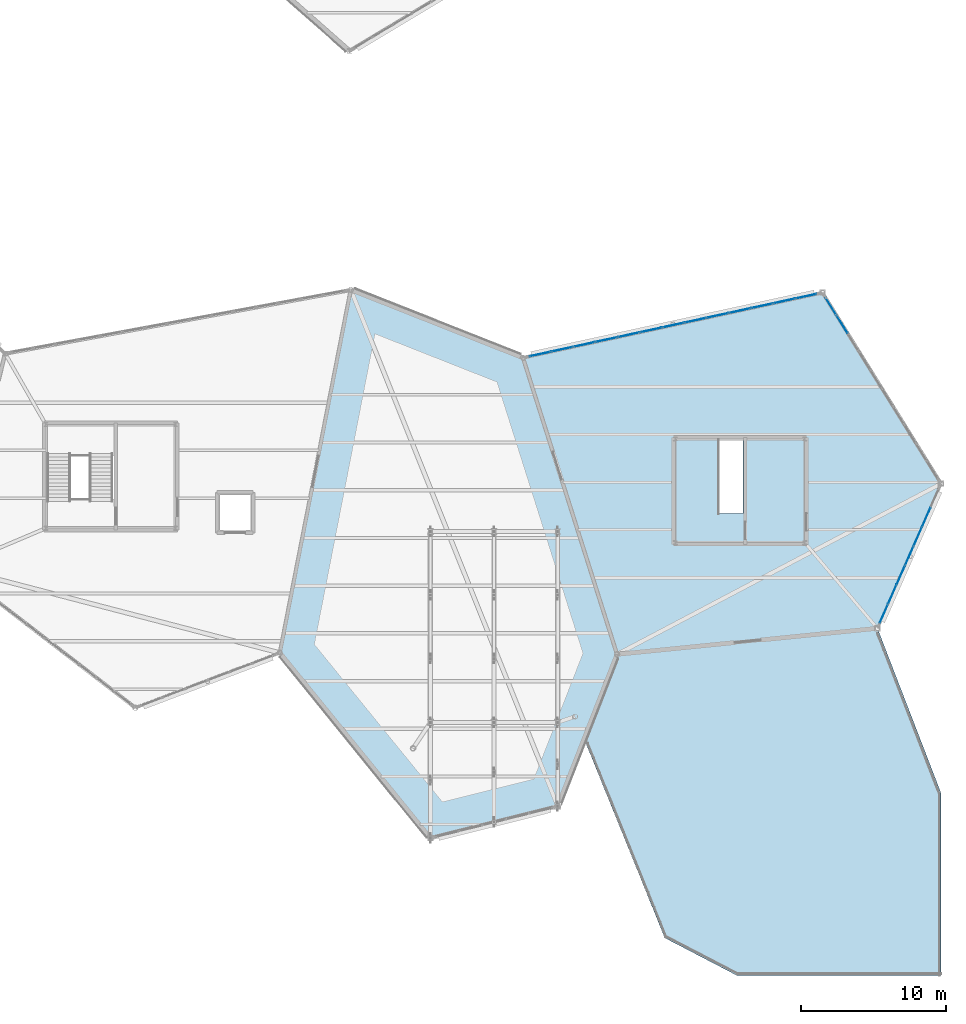
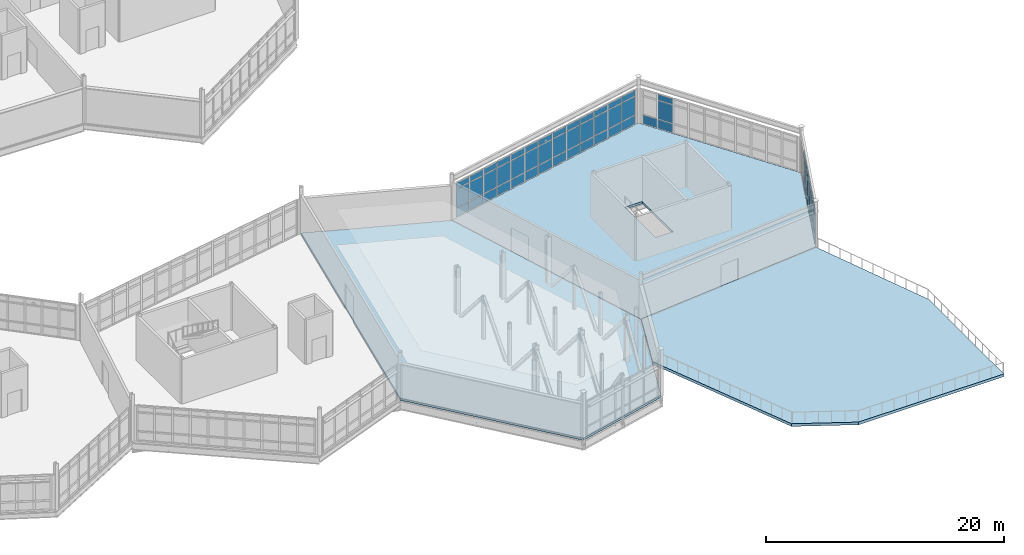
# One storey, part 80 of 114: 61 plates, 3 slabs, 3 elements without a shape of their own.
"""IFC4 building model written with IfcOpenShell, lengths in metres."""

import ifcopenshell
import ifcopenshell.guid

model = None  # the IFC model being written
_history = None  # IfcOwnerHistory: only IFC2X3 demands one
_inside = {}  # id of a spatial element -> (the spatial element, [elements in it])
_under = {}  # id of a project, library or spatial element -> (it, [spatial elements below it])
_declared = {}  # id of a project -> (the project, [libraries it declares])
_typed = {}  # id of a type object -> (the type object, [elements of that type])
_made_of = {}  # id of a material, layer set ... -> (it, [elements and type objects made of it])


def new_model(schema):
    """Start an empty IFC model of exactly this schema.

    Asked for "IFC4X3", IfcOpenShell would pick the latest addendum, in which some entities
    have other attributes; the version numbers below select the first issue.
    IFC2X3 requires an IfcOwnerHistory on every rooted entity: one is made here for all.
    """
    global model, _history
    if schema == "IFC4X3":
        model = ifcopenshell.file(schema_version=(4, 3, 0, 0))
    else:
        model = ifcopenshell.file(schema=schema)
    _inside.clear()
    _under.clear()
    _declared.clear()
    _typed.clear()
    _made_of.clear()
    _history = None
    if model.schema == "IFC2X3":
        org = make("IfcOrganization", Name="unknown")
        user = make(
            "IfcPersonAndOrganization",
            ThePerson=make("IfcPerson", FamilyName="unknown"),
            TheOrganization=org,
        )
        app = make(
            "IfcApplication",
            ApplicationDeveloper=org,
            Version="unknown",
            ApplicationFullName="unknown",
            ApplicationIdentifier="unknown",
        )
        _history = make(
            "IfcOwnerHistory",
            OwningUser=user,
            OwningApplication=app,
            ChangeAction="ADDED",
            CreationDate=0,
        )
    return model


def make(cls, **values):
    """One entity of the class cls with the attributes given. An attribute that is None is left unset."""
    return model.create_entity(
        cls, **{name: value for name, value in values.items() if value is not None}
    )


def rooted(cls, **values):
    """An entity with a GlobalId (a new one), such as an element, a storey or a relation."""
    return make(cls, GlobalId=ifcopenshell.guid.new(), OwnerHistory=_history, **values)


def si_unit(unit_type, name, prefix=None):
    """IfcSIUnit, for example si_unit("LENGTHUNIT", "METRE", prefix="MILLI")."""
    return make("IfcSIUnit", UnitType=unit_type, Prefix=prefix, Name=name)


def assignment(units):
    """IfcUnitAssignment: the units of a project."""
    return None if units is None else make("IfcUnitAssignment", Units=units)


def point(xyz):
    """IfcCartesianPoint."""
    return None if xyz is None else make("IfcCartesianPoint", Coordinates=xyz)


def direction(xyz):
    """IfcDirection."""
    return None if xyz is None else make("IfcDirection", DirectionRatios=xyz)


def frame(location, z_axis=None, x_axis=None):
    """IfcAxis2Placement3D, a coordinate frame: its origin and axes. An axis left out is left unset."""
    return make(
        "IfcAxis2Placement3D",
        Location=point(location),
        Axis=direction(z_axis),
        RefDirection=direction(x_axis),
    )


def frame_2d(location, x_axis=None):
    """IfcAxis2Placement2D, a coordinate frame in the plane: its origin and x axis."""
    return make(
        "IfcAxis2Placement2D", Location=point(location), RefDirection=direction(x_axis)
    )


def origin():
    """The frame at (0, 0, 0) with its axes left unset."""
    return frame((0.0, 0.0, 0.0))


def origin_2d():
    """The frame at (0, 0) in the plane with its x axis left unset."""
    return frame_2d((0.0, 0.0))


def place(relative_to, where):
    """IfcLocalPlacement: puts the frame where relative to a parent placement (None: the world)."""
    return make(
        "IfcLocalPlacement", PlacementRelTo=relative_to, RelativePlacement=where
    )


def context(
    kind, dimensions, precision=None, world=None, true_north=None, identifier=None
):
    """IfcGeometricRepresentationContext, for example the 3D "Model" context."""
    return make(
        "IfcGeometricRepresentationContext",
        ContextIdentifier=identifier,
        ContextType=kind,
        CoordinateSpaceDimension=dimensions,
        Precision=precision,
        WorldCoordinateSystem=world,
        TrueNorth=true_north,
    )


def subcontext(parent, identifier, kind, view, scale=None):
    """IfcGeometricRepresentationSubContext, for example "Body" below "Model"."""
    return make(
        "IfcGeometricRepresentationSubContext",
        ContextIdentifier=identifier,
        ContextType=kind,
        ParentContext=parent,
        TargetScale=scale,
        TargetView=view,
    )


def project(units=None, contexts=None):
    """IfcProject with its units and contexts."""
    return rooted(
        "IfcProject",
        Name="project",
        RepresentationContexts=contexts,
        UnitsInContext=assignment(units),
    )


def spatial(cls, under=None, at=None, **own):
    """A site, building, storey or space (cls), placed at a placement, below another one or the project."""
    s = rooted(cls, ObjectPlacement=at, **own)
    if under is not None:
        _under.setdefault(under.id(), (under, []))[1].append(s)
    return s


def polyline(points):
    """IfcPolyline through the points."""
    return make("IfcPolyline", Points=[point(p) for p in points])


def profile(cls, at=None, kind="AREA", **sizes):
    """A parametric profile (cls). Its sizes go by their IFC names, for example OverallWidth=200.0."""
    return make(cls, ProfileType=kind, Position=at, **sizes)


def rectangle(**sizes):
    """IfcRectangleProfileDef."""
    return profile("IfcRectangleProfileDef", **sizes)


def outline(outer, holes=None, kind="AREA"):
    """IfcArbitraryClosedProfileDef: a profile drawn as a closed curve; with holes, ...WithVoids."""
    if holes is None:
        return make("IfcArbitraryClosedProfileDef", ProfileType=kind, OuterCurve=outer)
    return make(
        "IfcArbitraryProfileDefWithVoids",
        ProfileType=kind,
        OuterCurve=outer,
        InnerCurves=holes,
    )


def extrude(swept, where, along, depth):
    """IfcExtrudedAreaSolid: the profile swept, set in the frame where, extruded along a direction by depth."""
    return make(
        "IfcExtrudedAreaSolid",
        SweptArea=swept,
        Position=where,
        ExtrudedDirection=direction(along),
        Depth=depth,
    )


def shape(context_of_items, identifier, shape_type, items):
    """IfcShapeRepresentation: the items that make up one representation, for example the "Body"."""
    return make(
        "IfcShapeRepresentation",
        ContextOfItems=context_of_items,
        RepresentationIdentifier=identifier,
        RepresentationType=shape_type,
        Items=items,
    )


def material(Name=None, Category=None):
    """IfcMaterial."""
    return make("IfcMaterial", Name=Name, Category=Category)


def layer(
    of_material, thickness, ventilated=None, Name=None, Category=None, Priority=None
):
    """IfcMaterialLayer: one layer of a wall or slab, of a material (None: an air gap)."""
    return make(
        "IfcMaterialLayer",
        Material=of_material,
        LayerThickness=thickness,
        IsVentilated=ventilated,
        Name=Name,
        Category=Category,
        Priority=Priority,
    )


def layer_set(layers, Name=None):
    """IfcMaterialLayerSet."""
    return make("IfcMaterialLayerSet", MaterialLayers=layers, LayerSetName=Name)


def made_of(thing, what):
    """Note that an element or type object is made of a material, layer set ...; save() writes the relation."""
    if what is not None:
        _made_of.setdefault(what.id(), (what, []))[1].append(thing)
    return thing


def type_object(cls, material=None, **own):
    """A type object (cls), such as IfcWallType, which elements share."""
    return made_of(rooted(cls, **own), material)


def element(
    cls,
    number,
    at=None,
    inside=None,
    cuts=None,
    type_object=None,
    material=None,
    context=None,
    identifier="Body",
    shape_type=None,
    held_by="IfcProductDefinitionShape",
    body=None,
    shapes=None,
    **own,
):
    """One element of the class cls, such as IfcWall. Its Tag is "e" and its number.

    at: its placement. inside: the storey or other place that contains it. cuts: it is an
    opening in that element (IfcRelVoidsElement). A single representation is given by context,
    identifier, shape_type and body (its items); several are given by shapes. held_by: the class
    of the entity that holds the representations. save() writes the other relations.
    """
    e = rooted(cls, Tag="e%d" % number, ObjectPlacement=at, **own)
    if body is not None:
        shapes = [shape(context, identifier, shape_type, body)]
    if shapes is not None:
        e.Representation = make(held_by, Representations=shapes)
    if inside is not None:
        _inside.setdefault(inside.id(), (inside, []))[1].append(e)
    if cuts is not None:
        rooted(
            "IfcRelVoidsElement", RelatingBuildingElement=cuts, RelatedOpeningElement=e
        )
    if type_object is not None:
        _typed.setdefault(type_object.id(), (type_object, []))[1].append(e)
    return made_of(e, material)


def aggregate(whole, parts):
    """IfcRelAggregates: a whole, such as a stair, and the parts it consists of."""
    return rooted("IfcRelAggregates", RelatingObject=whole, RelatedObjects=parts)


def save(model, path):
    """Write the relations noted so far, then the file.

    IfcRelAggregates (storeys below a building ...), IfcRelContainedInSpatialStructure (elements
    in a storey), IfcRelDefinesByType, IfcRelAssociatesMaterial and IfcRelDeclares: one each for
    every whole, place, type object, material and project.
    """
    for whole, parts in _under.values():
        aggregate(whole, parts)
    for where, things in _inside.values():
        rooted(
            "IfcRelContainedInSpatialStructure",
            RelatedElements=things,
            RelatingStructure=where,
        )
    for kind, things in _typed.values():
        rooted("IfcRelDefinesByType", RelatedObjects=things, RelatingType=kind)
    for what, things in _made_of.values():
        rooted("IfcRelAssociatesMaterial", RelatedObjects=things, RelatingMaterial=what)
    for by, libraries in _declared.values():
        rooted("IfcRelDeclares", RelatingContext=by, RelatedDefinitions=libraries)
    model.write(path)


model = new_model("IFC4")

# Units and contexts
model_context = context("Model", 3, precision=1e-05, world=origin(), true_north=direction((0.0, 1.0)))
body_context = subcontext(model_context, "Body", "Model", "MODEL_VIEW")
ifc_project = project(units=[si_unit("LENGTHUNIT", "METRE"), si_unit("AREAUNIT", "SQUARE_METRE"), si_unit("VOLUMEUNIT", "CUBIC_METRE"), si_unit("PLANEANGLEUNIT", "RADIAN"), si_unit("MASSUNIT", "GRAM", prefix="KILO")], contexts=[model_context])

# Site, building, storey
site_placement = place(None, origin())
site = spatial("IfcSite", under=ifc_project, at=site_placement, CompositionType="ELEMENT")
building_placement = place(site_placement, origin())
building = spatial("IfcBuilding", under=site, at=building_placement, Name="Tameran Prism Museum", CompositionType="ELEMENT")
storey_placement = place(building_placement, frame((0.0, 0.0, 10.199951171875)))
storey = spatial("IfcBuildingStorey", under=building, at=storey_placement, Name="L02", CompositionType="ELEMENT", Elevation=10.199951171875)

# Curtain wall, plates
ifc_material_1 = material(Name="Anodised Aluminium 6063-T6 and Cyclone Solar Glass", Category="aluminium")
curtain_wall_type_1 = type_object("IfcCurtainWallType", Name="CW-FAC-1022x362", PredefinedType="USERDEFINED", material=ifc_material_1)
curtain_wall_1_placement = place(storey_placement, origin())
curtain_wall_1 = element("IfcCurtainWall", 1, at=curtain_wall_1_placement, inside=storey, type_object=curtain_wall_type_1, Name="Unitised Curtain Wall CW-127", ObjectType="UNITISED CURTAIN WALL", PredefinedType="USERDEFINED")
ifc_material_2 = material(Name="Low-E Laminated Solar Glass", Category="glass")
ifc_layer_1 = layer(ifc_material_2, 0.028076171875)
ifc_layer_set_1 = layer_set([ifc_layer_1])
plate_type_1 = type_object("IfcPlateType", Name="CW-PNL-G28", PredefinedType="CURTAIN_PANEL", material=ifc_layer_set_1)
plate_1_placement = place(storey_placement, frame((165.37646484375, 31.67431640625, 0.06494140625), z_axis=(0.0, 0.0, 1.0), x_axis=(-0.402705842024, -0.915329451509, 0.0)))
plate_1 = element("IfcPlate", 2, at=plate_1_placement, type_object=plate_type_1, Name="CW-127 panel 2.1", PredefinedType="CURTAIN_PANEL", context=body_context, shape_type="SweptSolid", body=[
    extrude(rectangle(XDim=1.395751953125, YDim=0.028076171875, at=origin_2d()), origin(), (0.0, 0.0, 1.0), 0.902587890625),
])
plate_2_placement = place(storey_placement, frame((165.37646484375, 31.67431640625, 1.032470703125), z_axis=(0.0, 0.0, 1.0), x_axis=(-0.402705842024, -0.915329451509, 0.0)))
plate_2 = element("IfcPlate", 3, at=plate_2_placement, type_object=plate_type_1, Name="CW-127 panel 2.2", PredefinedType="CURTAIN_PANEL", context=body_context, shape_type="SweptSolid", body=[
    extrude(rectangle(XDim=1.395751953125, YDim=0.028076171875, at=origin_2d()), origin(), (0.0, 0.0, 1.0), 1.875),
])
plate_3_placement = place(storey_placement, frame((165.37646484375, 31.67431640625, 2.97265625), z_axis=(0.0, 0.0, 1.0), x_axis=(-0.402705842024, -0.915329451509, 0.0)))
plate_3 = element("IfcPlate", 4, at=plate_3_placement, type_object=plate_type_1, Name="CW-127 panel 2.3", PredefinedType="CURTAIN_PANEL", context=body_context, shape_type="SweptSolid", body=[
    extrude(rectangle(XDim=1.395751953125, YDim=0.028076171875, at=origin_2d()), origin(), (0.0, 0.0, 1.0), 0.58251953125),
])
plate_4_placement = place(storey_placement, frame((164.788330078125, 30.337158203125, 0.06494140625), z_axis=(0.0, 0.0, 1.0), x_axis=(-0.402705842024, -0.915329451509, 0.0)))
plate_4 = element("IfcPlate", 5, at=plate_4_placement, type_object=plate_type_1, Name="CW-127 panel 3.1", PredefinedType="CURTAIN_PANEL", context=body_context, shape_type="SweptSolid", body=[
    extrude(rectangle(XDim=1.395751953125, YDim=0.028076171875, at=origin_2d()), origin(), (0.0, 0.0, 1.0), 0.902587890625),
])
plate_5_placement = place(storey_placement, frame((164.788330078125, 30.337158203125, 1.032470703125), z_axis=(0.0, 0.0, 1.0), x_axis=(-0.402705842024, -0.915329451509, 0.0)))
plate_5 = element("IfcPlate", 6, at=plate_5_placement, type_object=plate_type_1, Name="CW-127 panel 3.2", PredefinedType="CURTAIN_PANEL", context=body_context, shape_type="SweptSolid", body=[
    extrude(rectangle(XDim=1.395751953125, YDim=0.028076171875, at=origin_2d()), origin(), (0.0, 0.0, 1.0), 1.875),
])
plate_6_placement = place(storey_placement, frame((164.788330078125, 30.337158203125, 2.97265625), z_axis=(0.0, 0.0, 1.0), x_axis=(-0.402705842024, -0.915329451509, 0.0)))
plate_6 = element("IfcPlate", 7, at=plate_6_placement, type_object=plate_type_1, Name="CW-127 panel 3.3", PredefinedType="CURTAIN_PANEL", context=body_context, shape_type="SweptSolid", body=[
    extrude(rectangle(XDim=1.395751953125, YDim=0.028076171875, at=origin_2d()), origin(), (0.0, 0.0, 1.0), 0.58251953125),
])
plate_7_placement = place(storey_placement, frame((164.199951171875, 29.0, 0.06494140625), z_axis=(0.0, 0.0, 1.0), x_axis=(-0.402705842024, -0.915329451509, 0.0)))
plate_7 = element("IfcPlate", 8, at=plate_7_placement, type_object=plate_type_1, Name="CW-127 panel 4.1", PredefinedType="CURTAIN_PANEL", context=body_context, shape_type="SweptSolid", body=[
    extrude(rectangle(XDim=1.395751953125, YDim=0.028076171875, at=origin_2d()), origin(), (0.0, 0.0, 1.0), 0.902587890625),
])
plate_8_placement = place(storey_placement, frame((164.199951171875, 29.0, 1.032470703125), z_axis=(0.0, 0.0, 1.0), x_axis=(-0.402705842024, -0.915329451509, 0.0)))
plate_8 = element("IfcPlate", 9, at=plate_8_placement, type_object=plate_type_1, Name="CW-127 panel 4.2", PredefinedType="CURTAIN_PANEL", context=body_context, shape_type="SweptSolid", body=[
    extrude(rectangle(XDim=1.395751953125, YDim=0.028076171875, at=origin_2d()), origin(), (0.0, 0.0, 1.0), 1.875),
])
plate_9_placement = place(storey_placement, frame((164.199951171875, 29.0, 2.97265625), z_axis=(0.0, 0.0, 1.0), x_axis=(-0.402705842024, -0.915329451509, 0.0)))
plate_9 = element("IfcPlate", 10, at=plate_9_placement, type_object=plate_type_1, Name="CW-127 panel 4.3", PredefinedType="CURTAIN_PANEL", context=body_context, shape_type="SweptSolid", body=[
    extrude(rectangle(XDim=1.395751953125, YDim=0.028076171875, at=origin_2d()), origin(), (0.0, 0.0, 1.0), 0.58251953125),
])
plate_10_placement = place(storey_placement, frame((163.61181640625, 27.662841796875, 0.06494140625), z_axis=(0.0, 0.0, 1.0), x_axis=(-0.402705842024, -0.915329451509, 0.0)))
plate_10 = element("IfcPlate", 11, at=plate_10_placement, type_object=plate_type_1, Name="CW-127 panel 5.1", PredefinedType="CURTAIN_PANEL", context=body_context, shape_type="SweptSolid", body=[
    extrude(rectangle(XDim=1.395751953125, YDim=0.028076171875, at=origin_2d()), origin(), (0.0, 0.0, 1.0), 0.902587890625),
])
plate_11_placement = place(storey_placement, frame((163.61181640625, 27.662841796875, 1.032470703125), z_axis=(0.0, 0.0, 1.0), x_axis=(-0.402705842024, -0.915329451509, 0.0)))
plate_11 = element("IfcPlate", 12, at=plate_11_placement, type_object=plate_type_1, Name="CW-127 panel 5.2", PredefinedType="CURTAIN_PANEL", context=body_context, shape_type="SweptSolid", body=[
    extrude(rectangle(XDim=1.395751953125, YDim=0.028076171875, at=origin_2d()), origin(), (0.0, 0.0, 1.0), 1.875),
])
plate_12_placement = place(storey_placement, frame((163.61181640625, 27.662841796875, 2.97265625), z_axis=(0.0, 0.0, 1.0), x_axis=(-0.402705842024, -0.915329451509, 0.0)))
plate_12 = element("IfcPlate", 13, at=plate_12_placement, type_object=plate_type_1, Name="CW-127 panel 5.3", PredefinedType="CURTAIN_PANEL", context=body_context, shape_type="SweptSolid", body=[
    extrude(rectangle(XDim=1.395751953125, YDim=0.028076171875, at=origin_2d()), origin(), (0.0, 0.0, 1.0), 0.58251953125),
])
plate_13_placement = place(storey_placement, frame((163.0234375, 26.32568359375, 0.06494140625), z_axis=(0.0, 0.0, 1.0), x_axis=(-0.402705842024, -0.915329451509, 0.0)))
plate_13 = element("IfcPlate", 14, at=plate_13_placement, type_object=plate_type_1, Name="CW-127 panel 6.1", PredefinedType="CURTAIN_PANEL", context=body_context, shape_type="SweptSolid", body=[
    extrude(rectangle(XDim=1.395751953125, YDim=0.028076171875, at=origin_2d()), origin(), (0.0, 0.0, 1.0), 0.902587890625),
])
plate_14_placement = place(storey_placement, frame((163.0234375, 26.32568359375, 1.032470703125), z_axis=(0.0, 0.0, 1.0), x_axis=(-0.402705842024, -0.915329451509, 0.0)))
plate_14 = element("IfcPlate", 15, at=plate_14_placement, type_object=plate_type_1, Name="CW-127 panel 6.2", PredefinedType="CURTAIN_PANEL", context=body_context, shape_type="SweptSolid", body=[
    extrude(rectangle(XDim=1.395751953125, YDim=0.028076171875, at=origin_2d()), origin(), (0.0, 0.0, 1.0), 1.875),
])
plate_15_placement = place(storey_placement, frame((163.0234375, 26.32568359375, 2.97265625), z_axis=(0.0, 0.0, 1.0), x_axis=(-0.402705842024, -0.915329451509, 0.0)))
plate_15 = element("IfcPlate", 16, at=plate_15_placement, type_object=plate_type_1, Name="CW-127 panel 6.3", PredefinedType="CURTAIN_PANEL", context=body_context, shape_type="SweptSolid", body=[
    extrude(rectangle(XDim=1.395751953125, YDim=0.028076171875, at=origin_2d()), origin(), (0.0, 0.0, 1.0), 0.58251953125),
])
plate_16_placement = place(storey_placement, frame((162.441650390625, 25.00341796875, 0.06494140625), z_axis=(0.0, 0.0, 1.0), x_axis=(-0.402705842024, -0.915329451509, 0.0)))
plate_16 = element("IfcPlate", 17, at=plate_16_placement, type_object=plate_type_1, Name="CW-127 panel 7.1", PredefinedType="CURTAIN_PANEL", context=body_context, shape_type="SweptSolid", body=[
    extrude(rectangle(XDim=1.36328125, YDim=0.028076171875, at=origin_2d()), origin(), (0.0, 0.0, 1.0), 0.902587890625),
])
plate_17_placement = place(storey_placement, frame((162.441650390625, 25.00341796875, 1.032470703125), z_axis=(0.0, 0.0, 1.0), x_axis=(-0.402705842024, -0.915329451509, 0.0)))
plate_17 = element("IfcPlate", 18, at=plate_17_placement, type_object=plate_type_1, Name="CW-127 panel 7.2", PredefinedType="CURTAIN_PANEL", context=body_context, shape_type="SweptSolid", body=[
    extrude(rectangle(XDim=1.36328125, YDim=0.028076171875, at=origin_2d()), origin(), (0.0, 0.0, 1.0), 1.875),
])
plate_18_placement = place(storey_placement, frame((162.441650390625, 25.00341796875, 2.97265625), z_axis=(0.0, 0.0, 1.0), x_axis=(-0.402705842024, -0.915329451509, 0.0)))
plate_18 = element("IfcPlate", 19, at=plate_18_placement, type_object=plate_type_1, Name="CW-127 panel 7.3", PredefinedType="CURTAIN_PANEL", context=body_context, shape_type="SweptSolid", body=[
    extrude(rectangle(XDim=1.36328125, YDim=0.028076171875, at=origin_2d()), origin(), (0.0, 0.0, 1.0), 0.58251953125),
])
aggregate(curtain_wall_1, [plate_1, plate_2, plate_3, plate_4, plate_5, plate_6, plate_7, plate_8, plate_9, plate_10, plate_11, plate_12, plate_13, plate_14, plate_15, plate_16, plate_17, plate_18])

ifc_material_3 = material(Name="Anodised Aluminium 6063-T6 and Cyclone Solar Glass", Category="aluminium")
curtain_wall_type_2 = type_object("IfcCurtainWallType", Name="CW-FAC-1484x362", PredefinedType="USERDEFINED", material=ifc_material_3)
curtain_wall_2_placement = place(storey_placement, origin())
curtain_wall_2 = element("IfcCurtainWall", 20, at=curtain_wall_2_placement, inside=storey, type_object=curtain_wall_type_2, Name="Unitised Curtain Wall CW-128", ObjectType="UNITISED CURTAIN WALL", PredefinedType="USERDEFINED")
ifc_material_4 = material(Name="Cyclone Laminated Solar Glass", Category="glass")
ifc_layer_2 = layer(ifc_material_4, 0.031982421875)
ifc_layer_set_2 = layer_set([ifc_layer_2])
plate_type_2 = type_object("IfcPlateType", Name="CW-PNL-G32", PredefinedType="CURTAIN_PANEL", material=ifc_layer_set_2)
plate_19_placement = place(storey_placement, frame((158.78564453125, 46.2578125, 0.070068359375), z_axis=(0.0, 0.0, 1.0), x_axis=(0.527634577931, -0.849471454595, 0.0)))
plate_19 = element("IfcPlate", 21, at=plate_19_placement, type_object=plate_type_2, Name="CW-128 panel 1.1", PredefinedType="CURTAIN_PANEL", context=body_context, shape_type="SweptSolid", body=[
    extrude(rectangle(XDim=1.37890625, YDim=0.031982421875, at=origin_2d()), origin(), (0.0, 0.0, 1.0), 0.89501953125),
])
plate_20_placement = place(storey_placement, frame((159.5595703125, 45.01220703125, 0.070068359375), z_axis=(0.0, 0.0, 1.0), x_axis=(0.527634577931, -0.849471454595, 0.0)))
plate_20 = element("IfcPlate", 22, at=plate_20_placement, type_object=plate_type_2, Name="CW-128 panel 2.1", PredefinedType="CURTAIN_PANEL", context=body_context, shape_type="SweptSolid", body=[
    extrude(rectangle(XDim=1.4140625, YDim=0.031982421875, at=origin_2d()), origin(), (0.0, 0.0, 1.0), 0.89501953125),
])
plate_21_placement = place(storey_placement, frame((159.5595703125, 45.01220703125, 1.034912109375), z_axis=(0.0, 0.0, 1.0), x_axis=(0.527634577931, -0.849471454595, 0.0)))
plate_21 = element("IfcPlate", 23, at=plate_21_placement, type_object=plate_type_2, Name="CW-128 panel 2.2", PredefinedType="CURTAIN_PANEL", context=body_context, shape_type="SweptSolid", body=[
    extrude(rectangle(XDim=1.4140625, YDim=0.031982421875, at=origin_2d()), origin(), (0.0, 0.0, 1.0), 1.8701171875),
])
plate_22_placement = place(storey_placement, frame((159.5595703125, 45.01220703125, 2.97509765625), z_axis=(0.0, 0.0, 1.0), x_axis=(0.527634577931, -0.849471454595, 0.0)))
plate_22 = element("IfcPlate", 24, at=plate_22_placement, type_object=plate_type_2, Name="CW-128 panel 2.3", PredefinedType="CURTAIN_PANEL", context=body_context, shape_type="SweptSolid", body=[
    extrude(rectangle(XDim=1.4140625, YDim=0.031982421875, at=origin_2d()), origin(), (0.0, 0.0, 1.0), 0.574951171875),
])
aggregate(curtain_wall_2, [plate_19, plate_20, plate_21, plate_22])

ifc_material_5 = material(Name="Anodised Aluminium 6063-T6 and Cyclone Solar Glass", Category="aluminium")
curtain_wall_type_3 = type_object("IfcCurtainWallType", Name="CW-FAC-2042x362", PredefinedType="USERDEFINED", material=ifc_material_5)
curtain_wall_3_placement = place(storey_placement, origin())
curtain_wall_3 = element("IfcCurtainWall", 25, at=curtain_wall_3_placement, inside=storey, type_object=curtain_wall_type_3, Name="Unitised Curtain Wall CW-129", ObjectType="UNITISED CURTAIN WALL", PredefinedType="USERDEFINED")
plate_23_placement = place(storey_placement, frame((138.68701171875, 42.957763671875, 0.0751953125), z_axis=(0.0, 0.0, 1.0), x_axis=(0.977171060676, 0.212454037801, 0.0)))
plate_23 = element("IfcPlate", 26, at=plate_23_placement, type_object=plate_type_2, Name="CW-129 panel 1.1", PredefinedType="CURTAIN_PANEL", context=body_context, shape_type="SweptSolid", body=[
    extrude(rectangle(XDim=1.45849609375, YDim=0.031982421875, at=origin_2d()), origin(), (0.0, 0.0, 1.0), 0.887451171875),
])
plate_24_placement = place(storey_placement, frame((138.68701171875, 42.957763671875, 1.03759765625), z_axis=(0.0, 0.0, 1.0), x_axis=(0.977171060676, 0.212454037801, 0.0)))
plate_24 = element("IfcPlate", 27, at=plate_24_placement, type_object=plate_type_2, Name="CW-129 panel 1.2", PredefinedType="CURTAIN_PANEL", context=body_context, shape_type="SweptSolid", body=[
    extrude(rectangle(XDim=1.45849609375, YDim=0.031982421875, at=origin_2d()), origin(), (0.0, 0.0, 1.0), 1.864990234375),
])
plate_25_placement = place(storey_placement, frame((138.68701171875, 42.957763671875, 2.9775390625), z_axis=(0.0, 0.0, 1.0), x_axis=(0.977171060676, 0.212454037801, 0.0)))
plate_25 = element("IfcPlate", 28, at=plate_25_placement, type_object=plate_type_2, Name="CW-129 panel 1.3", PredefinedType="CURTAIN_PANEL", context=body_context, shape_type="SweptSolid", body=[
    extrude(rectangle(XDim=1.45849609375, YDim=0.031982421875, at=origin_2d()), origin(), (0.0, 0.0, 1.0), 0.5673828125),
])
plate_26_placement = place(storey_placement, frame((140.20361328125, 43.28759765625, 0.0751953125), z_axis=(0.0, 0.0, 1.0), x_axis=(0.977171060676, 0.212454037801, 0.0)))
plate_26 = element("IfcPlate", 29, at=plate_26_placement, type_object=plate_type_2, Name="CW-129 panel 2.1", PredefinedType="CURTAIN_PANEL", context=body_context, shape_type="SweptSolid", body=[
    extrude(rectangle(XDim=1.49609375, YDim=0.031982421875, at=origin_2d()), origin(), (0.0, 0.0, 1.0), 0.887451171875),
])
plate_27_placement = place(storey_placement, frame((140.20361328125, 43.28759765625, 1.03759765625), z_axis=(0.0, 0.0, 1.0), x_axis=(0.977171060676, 0.212454037801, 0.0)))
plate_27 = element("IfcPlate", 30, at=plate_27_placement, type_object=plate_type_2, Name="CW-129 panel 2.2", PredefinedType="CURTAIN_PANEL", context=body_context, shape_type="SweptSolid", body=[
    extrude(rectangle(XDim=1.49609375, YDim=0.031982421875, at=origin_2d()), origin(), (0.0, 0.0, 1.0), 1.864990234375),
])
plate_28_placement = place(storey_placement, frame((140.20361328125, 43.28759765625, 2.9775390625), z_axis=(0.0, 0.0, 1.0), x_axis=(0.977171060676, 0.212454037801, 0.0)))
plate_28 = element("IfcPlate", 31, at=plate_28_placement, type_object=plate_type_2, Name="CW-129 panel 2.3", PredefinedType="CURTAIN_PANEL", context=body_context, shape_type="SweptSolid", body=[
    extrude(rectangle(XDim=1.49609375, YDim=0.031982421875, at=origin_2d()), origin(), (0.0, 0.0, 1.0), 0.5673828125),
])
plate_29_placement = place(storey_placement, frame((141.73876953125, 43.621337890625, 0.0751953125), z_axis=(0.0, 0.0, 1.0), x_axis=(0.977171060676, 0.212454037801, 0.0)))
plate_29 = element("IfcPlate", 32, at=plate_29_placement, type_object=plate_type_2, Name="CW-129 panel 3.1", PredefinedType="CURTAIN_PANEL", context=body_context, shape_type="SweptSolid", body=[
    extrude(rectangle(XDim=1.49609375, YDim=0.031982421875, at=origin_2d()), origin(), (0.0, 0.0, 1.0), 0.887451171875),
])
plate_30_placement = place(storey_placement, frame((141.73876953125, 43.621337890625, 1.03759765625), z_axis=(0.0, 0.0, 1.0), x_axis=(0.977171060676, 0.212454037801, 0.0)))
plate_30 = element("IfcPlate", 33, at=plate_30_placement, type_object=plate_type_2, Name="CW-129 panel 3.2", PredefinedType="CURTAIN_PANEL", context=body_context, shape_type="SweptSolid", body=[
    extrude(rectangle(XDim=1.49609375, YDim=0.031982421875, at=origin_2d()), origin(), (0.0, 0.0, 1.0), 1.864990234375),
])
plate_31_placement = place(storey_placement, frame((141.73876953125, 43.621337890625, 2.9775390625), z_axis=(0.0, 0.0, 1.0), x_axis=(0.977171060676, 0.212454037801, 0.0)))
plate_31 = element("IfcPlate", 34, at=plate_31_placement, type_object=plate_type_2, Name="CW-129 panel 3.3", PredefinedType="CURTAIN_PANEL", context=body_context, shape_type="SweptSolid", body=[
    extrude(rectangle(XDim=1.49609375, YDim=0.031982421875, at=origin_2d()), origin(), (0.0, 0.0, 1.0), 0.5673828125),
])
plate_32_placement = place(storey_placement, frame((143.27392578125, 43.955078125, 0.0751953125), z_axis=(0.0, 0.0, 1.0), x_axis=(0.977171060676, 0.212454037801, 0.0)))
plate_32 = element("IfcPlate", 35, at=plate_32_placement, type_object=plate_type_2, Name="CW-129 panel 4.1", PredefinedType="CURTAIN_PANEL", context=body_context, shape_type="SweptSolid", body=[
    extrude(rectangle(XDim=1.49609375, YDim=0.031982421875, at=origin_2d()), origin(), (0.0, 0.0, 1.0), 0.887451171875),
])
plate_33_placement = place(storey_placement, frame((143.27392578125, 43.955078125, 1.03759765625), z_axis=(0.0, 0.0, 1.0), x_axis=(0.977171060676, 0.212454037801, 0.0)))
plate_33 = element("IfcPlate", 36, at=plate_33_placement, type_object=plate_type_2, Name="CW-129 panel 4.2", PredefinedType="CURTAIN_PANEL", context=body_context, shape_type="SweptSolid", body=[
    extrude(rectangle(XDim=1.49609375, YDim=0.031982421875, at=origin_2d()), origin(), (0.0, 0.0, 1.0), 1.864990234375),
])
plate_34_placement = place(storey_placement, frame((143.27392578125, 43.955078125, 2.9775390625), z_axis=(0.0, 0.0, 1.0), x_axis=(0.977171060676, 0.212454037801, 0.0)))
plate_34 = element("IfcPlate", 37, at=plate_34_placement, type_object=plate_type_2, Name="CW-129 panel 4.3", PredefinedType="CURTAIN_PANEL", context=body_context, shape_type="SweptSolid", body=[
    extrude(rectangle(XDim=1.49609375, YDim=0.031982421875, at=origin_2d()), origin(), (0.0, 0.0, 1.0), 0.5673828125),
])
plate_35_placement = place(storey_placement, frame((144.80908203125, 44.2890625, 0.0751953125), z_axis=(0.0, 0.0, 1.0), x_axis=(0.977171060676, 0.212454037801, 0.0)))
plate_35 = element("IfcPlate", 38, at=plate_35_placement, type_object=plate_type_2, Name="CW-129 panel 5.1", PredefinedType="CURTAIN_PANEL", context=body_context, shape_type="SweptSolid", body=[
    extrude(rectangle(XDim=1.49609375, YDim=0.031982421875, at=origin_2d()), origin(), (0.0, 0.0, 1.0), 0.887451171875),
])
plate_36_placement = place(storey_placement, frame((144.80908203125, 44.2890625, 1.03759765625), z_axis=(0.0, 0.0, 1.0), x_axis=(0.977171060676, 0.212454037801, 0.0)))
plate_36 = element("IfcPlate", 39, at=plate_36_placement, type_object=plate_type_2, Name="CW-129 panel 5.2", PredefinedType="CURTAIN_PANEL", context=body_context, shape_type="SweptSolid", body=[
    extrude(rectangle(XDim=1.49609375, YDim=0.031982421875, at=origin_2d()), origin(), (0.0, 0.0, 1.0), 1.864990234375),
])
plate_37_placement = place(storey_placement, frame((144.80908203125, 44.2890625, 2.9775390625), z_axis=(0.0, 0.0, 1.0), x_axis=(0.977171060676, 0.212454037801, 0.0)))
plate_37 = element("IfcPlate", 40, at=plate_37_placement, type_object=plate_type_2, Name="CW-129 panel 5.3", PredefinedType="CURTAIN_PANEL", context=body_context, shape_type="SweptSolid", body=[
    extrude(rectangle(XDim=1.49609375, YDim=0.031982421875, at=origin_2d()), origin(), (0.0, 0.0, 1.0), 0.5673828125),
])
plate_38_placement = place(storey_placement, frame((146.34423828125, 44.622802734375, 0.0751953125), z_axis=(0.0, 0.0, 1.0), x_axis=(0.977171060676, 0.212454037801, 0.0)))
plate_38 = element("IfcPlate", 41, at=plate_38_placement, type_object=plate_type_2, Name="CW-129 panel 6.1", PredefinedType="CURTAIN_PANEL", context=body_context, shape_type="SweptSolid", body=[
    extrude(rectangle(XDim=1.49609375, YDim=0.031982421875, at=origin_2d()), origin(), (0.0, 0.0, 1.0), 0.887451171875),
])
plate_39_placement = place(storey_placement, frame((146.34423828125, 44.622802734375, 1.03759765625), z_axis=(0.0, 0.0, 1.0), x_axis=(0.977171060676, 0.212454037801, 0.0)))
plate_39 = element("IfcPlate", 42, at=plate_39_placement, type_object=plate_type_2, Name="CW-129 panel 6.2", PredefinedType="CURTAIN_PANEL", context=body_context, shape_type="SweptSolid", body=[
    extrude(rectangle(XDim=1.49609375, YDim=0.031982421875, at=origin_2d()), origin(), (0.0, 0.0, 1.0), 1.864990234375),
])
plate_40_placement = place(storey_placement, frame((146.34423828125, 44.622802734375, 2.9775390625), z_axis=(0.0, 0.0, 1.0), x_axis=(0.977171060676, 0.212454037801, 0.0)))
plate_40 = element("IfcPlate", 43, at=plate_40_placement, type_object=plate_type_2, Name="CW-129 panel 6.3", PredefinedType="CURTAIN_PANEL", context=body_context, shape_type="SweptSolid", body=[
    extrude(rectangle(XDim=1.49609375, YDim=0.031982421875, at=origin_2d()), origin(), (0.0, 0.0, 1.0), 0.5673828125),
])
plate_41_placement = place(storey_placement, frame((147.87939453125, 44.95654296875, 0.0751953125), z_axis=(0.0, 0.0, 1.0), x_axis=(0.977171060676, 0.212454037801, 0.0)))
plate_41 = element("IfcPlate", 44, at=plate_41_placement, type_object=plate_type_2, Name="CW-129 panel 7.1", PredefinedType="CURTAIN_PANEL", context=body_context, shape_type="SweptSolid", body=[
    extrude(rectangle(XDim=1.49609375, YDim=0.031982421875, at=origin_2d()), origin(), (0.0, 0.0, 1.0), 0.887451171875),
])
plate_42_placement = place(storey_placement, frame((147.87939453125, 44.95654296875, 1.03759765625), z_axis=(0.0, 0.0, 1.0), x_axis=(0.977171060676, 0.212454037801, 0.0)))
plate_42 = element("IfcPlate", 45, at=plate_42_placement, type_object=plate_type_2, Name="CW-129 panel 7.2", PredefinedType="CURTAIN_PANEL", context=body_context, shape_type="SweptSolid", body=[
    extrude(rectangle(XDim=1.49609375, YDim=0.031982421875, at=origin_2d()), origin(), (0.0, 0.0, 1.0), 1.864990234375),
])
plate_43_placement = place(storey_placement, frame((147.87939453125, 44.95654296875, 2.9775390625), z_axis=(0.0, 0.0, 1.0), x_axis=(0.977171060676, 0.212454037801, 0.0)))
plate_43 = element("IfcPlate", 46, at=plate_43_placement, type_object=plate_type_2, Name="CW-129 panel 7.3", PredefinedType="CURTAIN_PANEL", context=body_context, shape_type="SweptSolid", body=[
    extrude(rectangle(XDim=1.49609375, YDim=0.031982421875, at=origin_2d()), origin(), (0.0, 0.0, 1.0), 0.5673828125),
])
plate_44_placement = place(storey_placement, frame((149.41455078125, 45.290283203125, 0.0751953125), z_axis=(0.0, 0.0, 1.0), x_axis=(0.977171060676, 0.212454037801, 0.0)))
plate_44 = element("IfcPlate", 47, at=plate_44_placement, type_object=plate_type_2, Name="CW-129 panel 8.1", PredefinedType="CURTAIN_PANEL", context=body_context, shape_type="SweptSolid", body=[
    extrude(rectangle(XDim=1.49609375, YDim=0.031982421875, at=origin_2d()), origin(), (0.0, 0.0, 1.0), 0.887451171875),
])
plate_45_placement = place(storey_placement, frame((149.41455078125, 45.290283203125, 1.03759765625), z_axis=(0.0, 0.0, 1.0), x_axis=(0.977171060676, 0.212454037801, 0.0)))
plate_45 = element("IfcPlate", 48, at=plate_45_placement, type_object=plate_type_2, Name="CW-129 panel 8.2", PredefinedType="CURTAIN_PANEL", context=body_context, shape_type="SweptSolid", body=[
    extrude(rectangle(XDim=1.49609375, YDim=0.031982421875, at=origin_2d()), origin(), (0.0, 0.0, 1.0), 1.864990234375),
])
plate_46_placement = place(storey_placement, frame((149.41455078125, 45.290283203125, 2.9775390625), z_axis=(0.0, 0.0, 1.0), x_axis=(0.977171060676, 0.212454037801, 0.0)))
plate_46 = element("IfcPlate", 49, at=plate_46_placement, type_object=plate_type_2, Name="CW-129 panel 8.3", PredefinedType="CURTAIN_PANEL", context=body_context, shape_type="SweptSolid", body=[
    extrude(rectangle(XDim=1.49609375, YDim=0.031982421875, at=origin_2d()), origin(), (0.0, 0.0, 1.0), 0.5673828125),
])
plate_47_placement = place(storey_placement, frame((150.94970703125, 45.6240234375, 0.0751953125), z_axis=(0.0, 0.0, 1.0), x_axis=(0.977171060676, 0.212454037801, 0.0)))
plate_47 = element("IfcPlate", 50, at=plate_47_placement, type_object=plate_type_2, Name="CW-129 panel 9.1", PredefinedType="CURTAIN_PANEL", context=body_context, shape_type="SweptSolid", body=[
    extrude(rectangle(XDim=1.49609375, YDim=0.031982421875, at=origin_2d()), origin(), (0.0, 0.0, 1.0), 0.887451171875),
])
plate_48_placement = place(storey_placement, frame((150.94970703125, 45.6240234375, 1.03759765625), z_axis=(0.0, 0.0, 1.0), x_axis=(0.977171060676, 0.212454037801, 0.0)))
plate_48 = element("IfcPlate", 51, at=plate_48_placement, type_object=plate_type_2, Name="CW-129 panel 9.2", PredefinedType="CURTAIN_PANEL", context=body_context, shape_type="SweptSolid", body=[
    extrude(rectangle(XDim=1.49609375, YDim=0.031982421875, at=origin_2d()), origin(), (0.0, 0.0, 1.0), 1.864990234375),
])
plate_49_placement = place(storey_placement, frame((150.94970703125, 45.6240234375, 2.9775390625), z_axis=(0.0, 0.0, 1.0), x_axis=(0.977171060676, 0.212454037801, 0.0)))
plate_49 = element("IfcPlate", 52, at=plate_49_placement, type_object=plate_type_2, Name="CW-129 panel 9.3", PredefinedType="CURTAIN_PANEL", context=body_context, shape_type="SweptSolid", body=[
    extrude(rectangle(XDim=1.49609375, YDim=0.031982421875, at=origin_2d()), origin(), (0.0, 0.0, 1.0), 0.5673828125),
])
plate_50_placement = place(storey_placement, frame((152.48486328125, 45.957763671875, 0.0751953125), z_axis=(0.0, 0.0, 1.0), x_axis=(0.977171060676, 0.212454037801, 0.0)))
plate_50 = element("IfcPlate", 53, at=plate_50_placement, type_object=plate_type_2, Name="CW-129 panel 10.1", PredefinedType="CURTAIN_PANEL", context=body_context, shape_type="SweptSolid", body=[
    extrude(rectangle(XDim=1.49609375, YDim=0.031982421875, at=origin_2d()), origin(), (0.0, 0.0, 1.0), 0.887451171875),
])
plate_51_placement = place(storey_placement, frame((152.48486328125, 45.957763671875, 1.03759765625), z_axis=(0.0, 0.0, 1.0), x_axis=(0.977171060676, 0.212454037801, 0.0)))
plate_51 = element("IfcPlate", 54, at=plate_51_placement, type_object=plate_type_2, Name="CW-129 panel 10.2", PredefinedType="CURTAIN_PANEL", context=body_context, shape_type="SweptSolid", body=[
    extrude(rectangle(XDim=1.49609375, YDim=0.031982421875, at=origin_2d()), origin(), (0.0, 0.0, 1.0), 1.864990234375),
])
plate_52_placement = place(storey_placement, frame((152.48486328125, 45.957763671875, 2.9775390625), z_axis=(0.0, 0.0, 1.0), x_axis=(0.977171060676, 0.212454037801, 0.0)))
plate_52 = element("IfcPlate", 55, at=plate_52_placement, type_object=plate_type_2, Name="CW-129 panel 10.3", PredefinedType="CURTAIN_PANEL", context=body_context, shape_type="SweptSolid", body=[
    extrude(rectangle(XDim=1.49609375, YDim=0.031982421875, at=origin_2d()), origin(), (0.0, 0.0, 1.0), 0.5673828125),
])
plate_53_placement = place(storey_placement, frame((154.02001953125, 46.29150390625, 0.0751953125), z_axis=(0.0, 0.0, 1.0), x_axis=(0.977171060676, 0.212454037801, 0.0)))
plate_53 = element("IfcPlate", 56, at=plate_53_placement, type_object=plate_type_2, Name="CW-129 panel 11.1", PredefinedType="CURTAIN_PANEL", context=body_context, shape_type="SweptSolid", body=[
    extrude(rectangle(XDim=1.49609375, YDim=0.031982421875, at=origin_2d()), origin(), (0.0, 0.0, 1.0), 0.887451171875),
])
plate_54_placement = place(storey_placement, frame((154.02001953125, 46.29150390625, 1.03759765625), z_axis=(0.0, 0.0, 1.0), x_axis=(0.977171060676, 0.212454037801, 0.0)))
plate_54 = element("IfcPlate", 57, at=plate_54_placement, type_object=plate_type_2, Name="CW-129 panel 11.2", PredefinedType="CURTAIN_PANEL", context=body_context, shape_type="SweptSolid", body=[
    extrude(rectangle(XDim=1.49609375, YDim=0.031982421875, at=origin_2d()), origin(), (0.0, 0.0, 1.0), 1.864990234375),
])
plate_55_placement = place(storey_placement, frame((154.02001953125, 46.29150390625, 2.9775390625), z_axis=(0.0, 0.0, 1.0), x_axis=(0.977171060676, 0.212454037801, 0.0)))
plate_55 = element("IfcPlate", 58, at=plate_55_placement, type_object=plate_type_2, Name="CW-129 panel 11.3", PredefinedType="CURTAIN_PANEL", context=body_context, shape_type="SweptSolid", body=[
    extrude(rectangle(XDim=1.49609375, YDim=0.031982421875, at=origin_2d()), origin(), (0.0, 0.0, 1.0), 0.5673828125),
])
plate_56_placement = place(storey_placement, frame((155.55517578125, 46.625244140625, 0.0751953125), z_axis=(0.0, 0.0, 1.0), x_axis=(0.977171060676, 0.212454037801, 0.0)))
plate_56 = element("IfcPlate", 59, at=plate_56_placement, type_object=plate_type_2, Name="CW-129 panel 12.1", PredefinedType="CURTAIN_PANEL", context=body_context, shape_type="SweptSolid", body=[
    extrude(rectangle(XDim=1.49609375, YDim=0.031982421875, at=origin_2d()), origin(), (0.0, 0.0, 1.0), 0.887451171875),
])
plate_57_placement = place(storey_placement, frame((155.55517578125, 46.625244140625, 1.03759765625), z_axis=(0.0, 0.0, 1.0), x_axis=(0.977171060676, 0.212454037801, 0.0)))
plate_57 = element("IfcPlate", 60, at=plate_57_placement, type_object=plate_type_2, Name="CW-129 panel 12.2", PredefinedType="CURTAIN_PANEL", context=body_context, shape_type="SweptSolid", body=[
    extrude(rectangle(XDim=1.49609375, YDim=0.031982421875, at=origin_2d()), origin(), (0.0, 0.0, 1.0), 1.864990234375),
])
plate_58_placement = place(storey_placement, frame((155.55517578125, 46.625244140625, 2.9775390625), z_axis=(0.0, 0.0, 1.0), x_axis=(0.977171060676, 0.212454037801, 0.0)))
plate_58 = element("IfcPlate", 61, at=plate_58_placement, type_object=plate_type_2, Name="CW-129 panel 12.3", PredefinedType="CURTAIN_PANEL", context=body_context, shape_type="SweptSolid", body=[
    extrude(rectangle(XDim=1.49609375, YDim=0.031982421875, at=origin_2d()), origin(), (0.0, 0.0, 1.0), 0.5673828125),
])
plate_59_placement = place(storey_placement, frame((157.072021484375, 46.955078125, 0.0751953125), z_axis=(0.0, 0.0, 1.0), x_axis=(0.977171060676, 0.212454037801, 0.0)))
plate_59 = element("IfcPlate", 62, at=plate_59_placement, type_object=plate_type_2, Name="CW-129 panel 13.1", PredefinedType="CURTAIN_PANEL", context=body_context, shape_type="SweptSolid", body=[
    extrude(rectangle(XDim=1.45849609375, YDim=0.031982421875, at=origin_2d()), origin(), (0.0, 0.0, 1.0), 0.887451171875),
])
plate_60_placement = place(storey_placement, frame((157.072021484375, 46.955078125, 1.03759765625), z_axis=(0.0, 0.0, 1.0), x_axis=(0.977171060676, 0.212454037801, 0.0)))
plate_60 = element("IfcPlate", 63, at=plate_60_placement, type_object=plate_type_2, Name="CW-129 panel 13.2", PredefinedType="CURTAIN_PANEL", context=body_context, shape_type="SweptSolid", body=[
    extrude(rectangle(XDim=1.45849609375, YDim=0.031982421875, at=origin_2d()), origin(), (0.0, 0.0, 1.0), 1.864990234375),
])
plate_61_placement = place(storey_placement, frame((157.072021484375, 46.955078125, 2.9775390625), z_axis=(0.0, 0.0, 1.0), x_axis=(0.977171060676, 0.212454037801, 0.0)))
plate_61 = element("IfcPlate", 64, at=plate_61_placement, type_object=plate_type_2, Name="CW-129 panel 13.3", PredefinedType="CURTAIN_PANEL", context=body_context, shape_type="SweptSolid", body=[
    extrude(rectangle(XDim=1.45849609375, YDim=0.031982421875, at=origin_2d()), origin(), (0.0, 0.0, 1.0), 0.5673828125),
])
aggregate(curtain_wall_3, [plate_23, plate_24, plate_25, plate_26, plate_27, plate_28, plate_29, plate_30, plate_31, plate_32, plate_33, plate_34, plate_35, plate_36, plate_37, plate_38, plate_39, plate_40, plate_41, plate_42, plate_43, plate_44, plate_45, plate_46, plate_47, plate_48, plate_49, plate_50, plate_51, plate_52, plate_53, plate_54, plate_55, plate_56, plate_57, plate_58, plate_59, plate_60, plate_61])

# Slabs
ifc_material_6 = material(Name="Concrete N32 (32 MPa)", Category="concrete")
ifc_layer_3 = layer(ifc_material_6, 0.219970703125)
ifc_layer_set_3 = layer_set([ifc_layer_3])
slab_type_1 = type_object("IfcSlabType", Name="SL-FLR-220", PredefinedType="FLOOR", material=ifc_layer_set_3)
slab_1_placement = place(storey_placement, frame((0.0, 0.0, -0.219970703125)))
element("IfcSlab", 65, at=slab_1_placement, inside=storey, type_object=slab_type_1, Name="Floor Slab FS-P09-L02", PredefinedType="FLOOR", context=body_context, shape_type="SweptSolid", body=[
    extrude(outline(polyline([(139.89990234375, 11.699951171875), (144.0, 22.199951171875), (137.5, 42.699951171875), (125.60009765625, 47.39990234375), (120.699951171875, 22.300048828125), (131.10009765625, 9.5), (139.89990234375, 11.699951171875)])), origin(), (0.0, 0.0, 1.0), 0.219970703125),
])
slab_2_placement = place(storey_placement, frame((0.0, 0.0, -0.219970703125)))
element("IfcSlab", 66, at=slab_2_placement, inside=storey, type_object=slab_type_1, Name="Floor Slab FS-P19-L02", PredefinedType="FLOOR", context=body_context, shape_type="SweptSolid", body=[
    extrude(outline(polyline([(137.5, 42.699951171875), (158.199951171875, 47.199951171875), (166.39990234375, 34.0), (162.0, 24.0), (144.0, 22.199951171875), (137.5, 42.699951171875)]), holes=[polyline([(152.719970703125, 37.050048828125), (151.050048828125, 37.050048828125), (151.050048828125, 31.93994140625), (152.719970703125, 31.93994140625), (152.719970703125, 37.050048828125)])]), origin(), (0.0, 0.0, 1.0), 0.219970703125),
])
ifc_material_7 = material(Name="Concrete N40 (40 MPa)", Category="concrete")
ifc_layer_4 = layer(ifc_material_7, 0.280029296875)
ifc_layer_set_4 = layer_set([ifc_layer_4])
slab_type_2 = type_object("IfcSlabType", Name="SL-TER-280", PredefinedType="USERDEFINED", material=ifc_layer_set_4)
slab_3_placement = place(storey_placement, frame((0.0, 0.0, -0.280029296875)))
element("IfcSlab", 67, at=slab_3_placement, inside=storey, type_object=slab_type_2, Name="Planted Roof Terrace TR-P10-L02", ObjectType="TERRACE", PredefinedType="USERDEFINED", context=body_context, shape_type="SweptSolid", body=[
    extrude(outline(polyline([(162.0, 24.0), (166.39990234375, 12.60009765625), (166.39990234375, 0.0), (152.300048828125, 0.0), (147.300048828125, 2.60009765625), (141.738037109375, 16.324951171875), (144.028076171875, 22.18896484375), (144.029052734375, 22.19189453125), (144.030029296875, 22.195068359375), (144.030029296875, 22.197998046875), (144.030029296875, 22.199951171875), (144.030029296875, 22.202880859375), (162.0, 24.0)])), origin(), (0.0, 0.0, 1.0), 0.280029296875),
])

save(model, "model.ifc")
